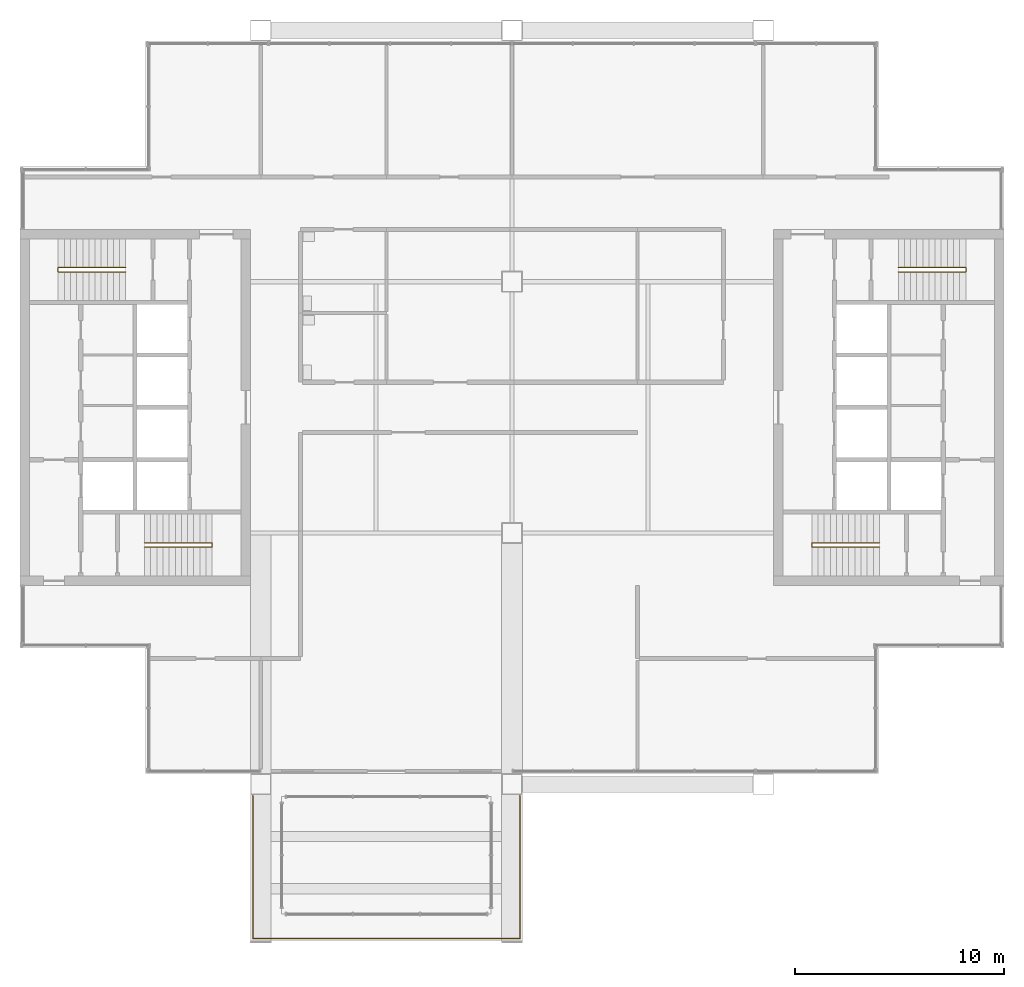
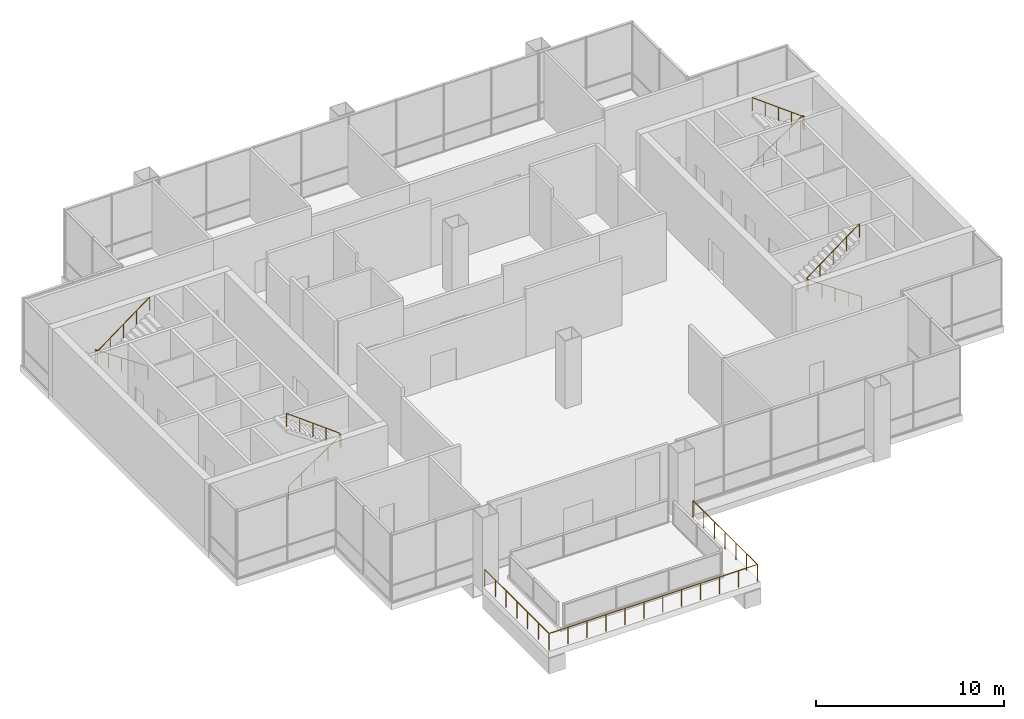
# One storey, part 14 of 15: 5 railings.
"""IFC4 building model written with IfcOpenShell, lengths in metres."""

from ifc_helpers import new_model, si_unit, direction, frame, origin, origin_2d, place, context, subcontext, project, spatial, circle, extrude, material, type_object, element, save


model = new_model("IFC4")

# Units and contexts
model_context = context("Model", 3, precision=1e-05, world=origin(), true_north=direction((0.0, 1.0)))
body_context = subcontext(model_context, "Body", "Model", "MODEL_VIEW")
ifc_project = project(units=[si_unit("LENGTHUNIT", "METRE"), si_unit("AREAUNIT", "SQUARE_METRE"), si_unit("VOLUMEUNIT", "CUBIC_METRE"), si_unit("PLANEANGLEUNIT", "RADIAN"), si_unit("MASSUNIT", "GRAM", prefix="KILO")], contexts=[model_context])

# Site, building, storey
site_placement = place(None, origin())
site = spatial("IfcSite", under=ifc_project, at=site_placement, CompositionType="ELEMENT")
building_placement = place(site_placement, origin())
building = spatial("IfcBuilding", under=site, at=building_placement, Name="Kitamizu Gate Tower and Museum", CompositionType="ELEMENT")
storey_placement = place(building_placement, frame((0.0, 0.0, 273.14990234375)))
storey = spatial("IfcBuildingStorey", under=building, at=storey_placement, Name="L74", CompositionType="ELEMENT", Elevation=273.14990234375)

# Railings
ifc_material_1 = material(Name="Stainless steel SUS304 with toughened glass infill", Category="steel")
railing_type_1 = type_object("IfcRailingType", Name="GUARD 1100", PredefinedType="GUARDRAIL", material=ifc_material_1)
railing_1_placement = place(storey_placement, frame((23.6201171875, 11.449951171875, 0.0)))
element("IfcRailing", 1, at=railing_1_placement, inside=storey, type_object=railing_type_1, Name="Guard L74 pool deck", PredefinedType="GUARDRAIL", context=body_context, shape_type="SweptSolid", body=[
    extrude(circle(Radius=0.02490234375, at=origin_2d()), frame((0.0, 0.0, 1.0751953125), z_axis=(0.0, -1.0, 0.0), x_axis=(1.0, 0.0, 0.0)), (0.0, 0.0, 1.0), 6.829833984375),
    extrude(circle(Radius=0.02490234375, at=origin_2d()), frame((0.0, -6.829833984375, 1.0751953125), z_axis=(1.0, 0.0, 0.0), x_axis=(0.0, 1.0, 0.0)), (0.0, 0.0, 1.0), 12.759765625),
    extrude(circle(Radius=0.02490234375, at=origin_2d()), frame((12.759765625, -6.829833984375, 1.0751953125), z_axis=(0.0, 1.0, 0.0), x_axis=(-1.0, 0.0, 0.0)), (0.0, 0.0, 1.0), 6.829833984375),
    extrude(circle(Radius=0.02490234375, at=origin_2d()), origin(), (0.0, 0.0, 1.0), 1.050048828125),
    extrude(circle(Radius=0.02490234375, at=origin_2d()), frame((0.0, -1.13818359375, 0.0)), (0.0, 0.0, 1.0), 1.050048828125),
    extrude(circle(Radius=0.02490234375, at=origin_2d()), frame((0.0, -2.276611328125, 0.0)), (0.0, 0.0, 1.0), 1.050048828125),
    extrude(circle(Radius=0.02490234375, at=origin_2d()), frame((0.0, -3.4150390625, 0.0)), (0.0, 0.0, 1.0), 1.050048828125),
    extrude(circle(Radius=0.02490234375, at=origin_2d()), frame((0.0, -4.55322265625, 0.0)), (0.0, 0.0, 1.0), 1.050048828125),
    extrude(circle(Radius=0.02490234375, at=origin_2d()), frame((0.0, -5.69140625, 0.0)), (0.0, 0.0, 1.0), 1.050048828125),
    extrude(circle(Radius=0.02490234375, at=origin_2d()), frame((0.0, -6.829833984375, 0.0)), (0.0, 0.0, 1.0), 1.050048828125),
    extrude(circle(Radius=0.02490234375, at=origin_2d()), frame((1.159912109375, -6.829833984375, 0.0)), (0.0, 0.0, 1.0), 1.050048828125),
    extrude(circle(Radius=0.02490234375, at=origin_2d()), frame((2.320068359375, -6.829833984375, 0.0)), (0.0, 0.0, 1.0), 1.050048828125),
    extrude(circle(Radius=0.02490234375, at=origin_2d()), frame((3.47998046875, -6.829833984375, 0.0)), (0.0, 0.0, 1.0), 1.050048828125),
    extrude(circle(Radius=0.02490234375, at=origin_2d()), frame((4.639892578125, -6.829833984375, 0.0)), (0.0, 0.0, 1.0), 1.050048828125),
    extrude(circle(Radius=0.02490234375, at=origin_2d()), frame((5.7998046875, -6.829833984375, 0.0)), (0.0, 0.0, 1.0), 1.050048828125),
    extrude(circle(Radius=0.02490234375, at=origin_2d()), frame((6.9599609375, -6.829833984375, 0.0)), (0.0, 0.0, 1.0), 1.050048828125),
    extrude(circle(Radius=0.02490234375, at=origin_2d()), frame((8.119873046875, -6.829833984375, 0.0)), (0.0, 0.0, 1.0), 1.050048828125),
    extrude(circle(Radius=0.02490234375, at=origin_2d()), frame((9.27978515625, -6.829833984375, 0.0)), (0.0, 0.0, 1.0), 1.050048828125),
    extrude(circle(Radius=0.02490234375, at=origin_2d()), frame((10.439697265625, -6.829833984375, 0.0)), (0.0, 0.0, 1.0), 1.050048828125),
    extrude(circle(Radius=0.02490234375, at=origin_2d()), frame((11.599853515625, -6.829833984375, 0.0)), (0.0, 0.0, 1.0), 1.050048828125),
    extrude(circle(Radius=0.02490234375, at=origin_2d()), frame((12.759765625, -6.829833984375, 0.0)), (0.0, 0.0, 1.0), 1.050048828125),
    extrude(circle(Radius=0.02490234375, at=origin_2d()), frame((12.759765625, -5.69140625, 0.0)), (0.0, 0.0, 1.0), 1.050048828125),
    extrude(circle(Radius=0.02490234375, at=origin_2d()), frame((12.759765625, -4.55322265625, 0.0)), (0.0, 0.0, 1.0), 1.050048828125),
    extrude(circle(Radius=0.02490234375, at=origin_2d()), frame((12.759765625, -3.4150390625, 0.0)), (0.0, 0.0, 1.0), 1.050048828125),
    extrude(circle(Radius=0.02490234375, at=origin_2d()), frame((12.759765625, -2.276611328125, 0.0)), (0.0, 0.0, 1.0), 1.050048828125),
    extrude(circle(Radius=0.02490234375, at=origin_2d()), frame((12.759765625, -1.13818359375, 0.0)), (0.0, 0.0, 1.0), 1.050048828125),
    extrude(circle(Radius=0.02490234375, at=origin_2d()), frame((12.759765625, 0.0, 0.0)), (0.0, 0.0, 1.0), 1.050048828125),
])
ifc_material_2 = material(Name="Stainless steel SUS304", Category="steel")
railing_type_2 = type_object("IfcRailingType", Name="Stair handrail 900", PredefinedType="HANDRAIL", material=ifc_material_2)
railing_2_placement = place(storey_placement, frame((18.449951171875, 23.324951171875, 0.2001953125)))
element("IfcRailing", 2, at=railing_2_placement, inside=storey, type_object=railing_type_2, Name="Stair handrail ST1", PredefinedType="HANDRAIL", context=body_context, shape_type="SweptSolid", body=[
    extrude(circle(Radius=0.02392578125, at=origin_2d()), frame((0.0, 0.0, 0.8759765625), z_axis=(0.826105602495, 0.0, 0.563515335661), x_axis=(0.0, 1.0, 0.0)), (0.0, 0.0, 1.0), 3.904052734375),
    extrude(circle(Radius=0.02392578125, at=origin_2d()), frame((3.22509765625, 0.0, 3.07568359375), z_axis=(0.0, 1.0, 0.0), x_axis=(-1.0, 0.0, 0.0)), (0.0, 0.0, 1.0), 0.199951171875),
    extrude(circle(Radius=0.02392578125, at=origin_2d()), frame((3.22509765625, 0.199951171875, 3.07568359375), z_axis=(-0.802253513725, 0.0, 0.596983500372), x_axis=(0.0, -1.0, 0.0)), (0.0, 0.0, 1.0), 4.02001953125),
    extrude(circle(Radius=0.02099609375, at=origin_2d()), origin(), (0.0, 0.0, 1.0), 0.851806640625),
    extrude(circle(Radius=0.02099609375, at=origin_2d()), frame((0.80615234375, 0.0, 0.550048828125)), (0.0, 0.0, 1.0), 0.851806640625),
    extrude(circle(Radius=0.02099609375, at=origin_2d()), frame((1.612548828125, 0.0, 1.10009765625)), (0.0, 0.0, 1.0), 0.851806640625),
    extrude(circle(Radius=0.02099609375, at=origin_2d()), frame((2.4189453125, 0.0, 1.64990234375)), (0.0, 0.0, 1.0), 0.851806640625),
    extrude(circle(Radius=0.02099609375, at=origin_2d()), frame((3.22509765625, 0.0, 2.199951171875)), (0.0, 0.0, 1.0), 0.851806640625),
    extrude(circle(Radius=0.02099609375, at=origin_2d()), frame((3.22509765625, 0.199951171875, 2.199951171875)), (0.0, 0.0, 1.0), 0.851806640625),
    extrude(circle(Radius=0.02099609375, at=origin_2d()), frame((2.4189453125, 0.199951171875, 2.7998046875)), (0.0, 0.0, 1.0), 0.851806640625),
    extrude(circle(Radius=0.02099609375, at=origin_2d()), frame((1.612548828125, 0.199951171875, 3.39990234375)), (0.0, 0.0, 1.0), 0.851806640625),
    extrude(circle(Radius=0.02099609375, at=origin_2d()), frame((0.80615234375, 0.199951171875, 4.0)), (0.0, 0.0, 1.0), 0.851806640625),
    extrude(circle(Radius=0.02099609375, at=origin_2d()), frame((0.0, 0.199951171875, 4.599853515625)), (0.0, 0.0, 1.0), 0.851806640625),
])
railing_3_placement = place(storey_placement, frame((17.550048828125, 36.675048828125, 0.2001953125)))
element("IfcRailing", 3, at=railing_3_placement, inside=storey, type_object=railing_type_2, Name="Stair handrail ST2", PredefinedType="HANDRAIL", context=body_context, shape_type="SweptSolid", body=[
    extrude(circle(Radius=0.02392578125, at=origin_2d()), frame((0.0, 0.0, 0.8759765625), z_axis=(-0.826105602495, 0.0, 0.563515335661), x_axis=(0.0, -1.0, 0.0)), (0.0, 0.0, 1.0), 3.904052734375),
    extrude(circle(Radius=0.02392578125, at=origin_2d()), frame((-3.22509765625, 0.0, 3.07568359375), z_axis=(0.0, -1.0, 0.0), x_axis=(1.0, 0.0, 0.0)), (0.0, 0.0, 1.0), 0.199951171875),
    extrude(circle(Radius=0.02392578125, at=origin_2d()), frame((-3.22509765625, -0.199951171875, 3.07568359375), z_axis=(0.802253513725, 0.0, 0.596983500372), x_axis=(0.0, 1.0, 0.0)), (0.0, 0.0, 1.0), 4.02001953125),
    extrude(circle(Radius=0.02099609375, at=origin_2d()), origin(), (0.0, 0.0, 1.0), 0.851806640625),
    extrude(circle(Radius=0.02099609375, at=origin_2d()), frame((-0.80615234375, 0.0, 0.550048828125)), (0.0, 0.0, 1.0), 0.851806640625),
    extrude(circle(Radius=0.02099609375, at=origin_2d()), frame((-1.612548828125, 0.0, 1.10009765625)), (0.0, 0.0, 1.0), 0.851806640625),
    extrude(circle(Radius=0.02099609375, at=origin_2d()), frame((-2.4189453125, 0.0, 1.64990234375)), (0.0, 0.0, 1.0), 0.851806640625),
    extrude(circle(Radius=0.02099609375, at=origin_2d()), frame((-3.22509765625, 0.0, 2.199951171875)), (0.0, 0.0, 1.0), 0.851806640625),
    extrude(circle(Radius=0.02099609375, at=origin_2d()), frame((-3.22509765625, -0.199951171875, 2.199951171875)), (0.0, 0.0, 1.0), 0.851806640625),
    extrude(circle(Radius=0.02099609375, at=origin_2d()), frame((-2.4189453125, -0.199951171875, 2.7998046875)), (0.0, 0.0, 1.0), 0.851806640625),
    extrude(circle(Radius=0.02099609375, at=origin_2d()), frame((-1.612548828125, -0.199951171875, 3.39990234375)), (0.0, 0.0, 1.0), 0.851806640625),
    extrude(circle(Radius=0.02099609375, at=origin_2d()), frame((-0.80615234375, -0.199951171875, 4.0)), (0.0, 0.0, 1.0), 0.851806640625),
    extrude(circle(Radius=0.02099609375, at=origin_2d()), frame((0.0, -0.199951171875, 4.599853515625)), (0.0, 0.0, 1.0), 0.851806640625),
])
railing_4_placement = place(storey_placement, frame((53.550048828125, 23.324951171875, 0.2001953125)))
element("IfcRailing", 4, at=railing_4_placement, inside=storey, type_object=railing_type_2, Name="Stair handrail ST3", PredefinedType="HANDRAIL", context=body_context, shape_type="SweptSolid", body=[
    extrude(circle(Radius=0.02392578125, at=origin_2d()), frame((0.0, 0.0, 0.8759765625), z_axis=(-0.826105602495, 0.0, 0.563515335661), x_axis=(0.0, -1.0, 0.0)), (0.0, 0.0, 1.0), 3.904052734375),
    extrude(circle(Radius=0.02392578125, at=origin_2d()), frame((-3.22509765625, 0.0, 3.07568359375), z_axis=(0.0, 1.0, 0.0), x_axis=(-1.0, 0.0, 0.0)), (0.0, 0.0, 1.0), 0.199951171875),
    extrude(circle(Radius=0.02392578125, at=origin_2d()), frame((-3.22509765625, 0.199951171875, 3.07568359375), z_axis=(0.802253513725, 0.0, 0.596983500372), x_axis=(0.0, 1.0, 0.0)), (0.0, 0.0, 1.0), 4.02001953125),
    extrude(circle(Radius=0.02099609375, at=origin_2d()), origin(), (0.0, 0.0, 1.0), 0.851806640625),
    extrude(circle(Radius=0.02099609375, at=origin_2d()), frame((-0.80615234375, 0.0, 0.550048828125)), (0.0, 0.0, 1.0), 0.851806640625),
    extrude(circle(Radius=0.02099609375, at=origin_2d()), frame((-1.612548828125, 0.0, 1.10009765625)), (0.0, 0.0, 1.0), 0.851806640625),
    extrude(circle(Radius=0.02099609375, at=origin_2d()), frame((-2.4189453125, 0.0, 1.64990234375)), (0.0, 0.0, 1.0), 0.851806640625),
    extrude(circle(Radius=0.02099609375, at=origin_2d()), frame((-3.22509765625, 0.0, 2.199951171875)), (0.0, 0.0, 1.0), 0.851806640625),
    extrude(circle(Radius=0.02099609375, at=origin_2d()), frame((-3.22509765625, 0.199951171875, 2.199951171875)), (0.0, 0.0, 1.0), 0.851806640625),
    extrude(circle(Radius=0.02099609375, at=origin_2d()), frame((-2.4189453125, 0.199951171875, 2.7998046875)), (0.0, 0.0, 1.0), 0.851806640625),
    extrude(circle(Radius=0.02099609375, at=origin_2d()), frame((-1.612548828125, 0.199951171875, 3.39990234375)), (0.0, 0.0, 1.0), 0.851806640625),
    extrude(circle(Radius=0.02099609375, at=origin_2d()), frame((-0.80615234375, 0.199951171875, 4.0)), (0.0, 0.0, 1.0), 0.851806640625),
    extrude(circle(Radius=0.02099609375, at=origin_2d()), frame((0.0, 0.199951171875, 4.599853515625)), (0.0, 0.0, 1.0), 0.851806640625),
])
railing_5_placement = place(storey_placement, frame((54.449951171875, 36.675048828125, 0.2001953125)))
element("IfcRailing", 5, at=railing_5_placement, inside=storey, type_object=railing_type_2, Name="Stair handrail ST4", PredefinedType="HANDRAIL", context=body_context, shape_type="SweptSolid", body=[
    extrude(circle(Radius=0.02392578125, at=origin_2d()), frame((0.0, 0.0, 0.8759765625), z_axis=(0.826105602495, 0.0, 0.563515335661), x_axis=(0.0, 1.0, 0.0)), (0.0, 0.0, 1.0), 3.904052734375),
    extrude(circle(Radius=0.02392578125, at=origin_2d()), frame((3.22509765625, 0.0, 3.07568359375), z_axis=(0.0, -1.0, 0.0), x_axis=(1.0, 0.0, 0.0)), (0.0, 0.0, 1.0), 0.199951171875),
    extrude(circle(Radius=0.02392578125, at=origin_2d()), frame((3.22509765625, -0.199951171875, 3.07568359375), z_axis=(-0.802253513725, 0.0, 0.596983500372), x_axis=(0.0, -1.0, 0.0)), (0.0, 0.0, 1.0), 4.02001953125),
    extrude(circle(Radius=0.02099609375, at=origin_2d()), origin(), (0.0, 0.0, 1.0), 0.851806640625),
    extrude(circle(Radius=0.02099609375, at=origin_2d()), frame((0.80615234375, 0.0, 0.550048828125)), (0.0, 0.0, 1.0), 0.851806640625),
    extrude(circle(Radius=0.02099609375, at=origin_2d()), frame((1.612548828125, 0.0, 1.10009765625)), (0.0, 0.0, 1.0), 0.851806640625),
    extrude(circle(Radius=0.02099609375, at=origin_2d()), frame((2.4189453125, 0.0, 1.64990234375)), (0.0, 0.0, 1.0), 0.851806640625),
    extrude(circle(Radius=0.02099609375, at=origin_2d()), frame((3.22509765625, 0.0, 2.199951171875)), (0.0, 0.0, 1.0), 0.851806640625),
    extrude(circle(Radius=0.02099609375, at=origin_2d()), frame((3.22509765625, -0.199951171875, 2.199951171875)), (0.0, 0.0, 1.0), 0.851806640625),
    extrude(circle(Radius=0.02099609375, at=origin_2d()), frame((2.4189453125, -0.199951171875, 2.7998046875)), (0.0, 0.0, 1.0), 0.851806640625),
    extrude(circle(Radius=0.02099609375, at=origin_2d()), frame((1.612548828125, -0.199951171875, 3.39990234375)), (0.0, 0.0, 1.0), 0.851806640625),
    extrude(circle(Radius=0.02099609375, at=origin_2d()), frame((0.80615234375, -0.199951171875, 4.0)), (0.0, 0.0, 1.0), 0.851806640625),
    extrude(circle(Radius=0.02099609375, at=origin_2d()), frame((0.0, -0.199951171875, 4.599853515625)), (0.0, 0.0, 1.0), 0.851806640625),
])

save(model, "model.ifc")
